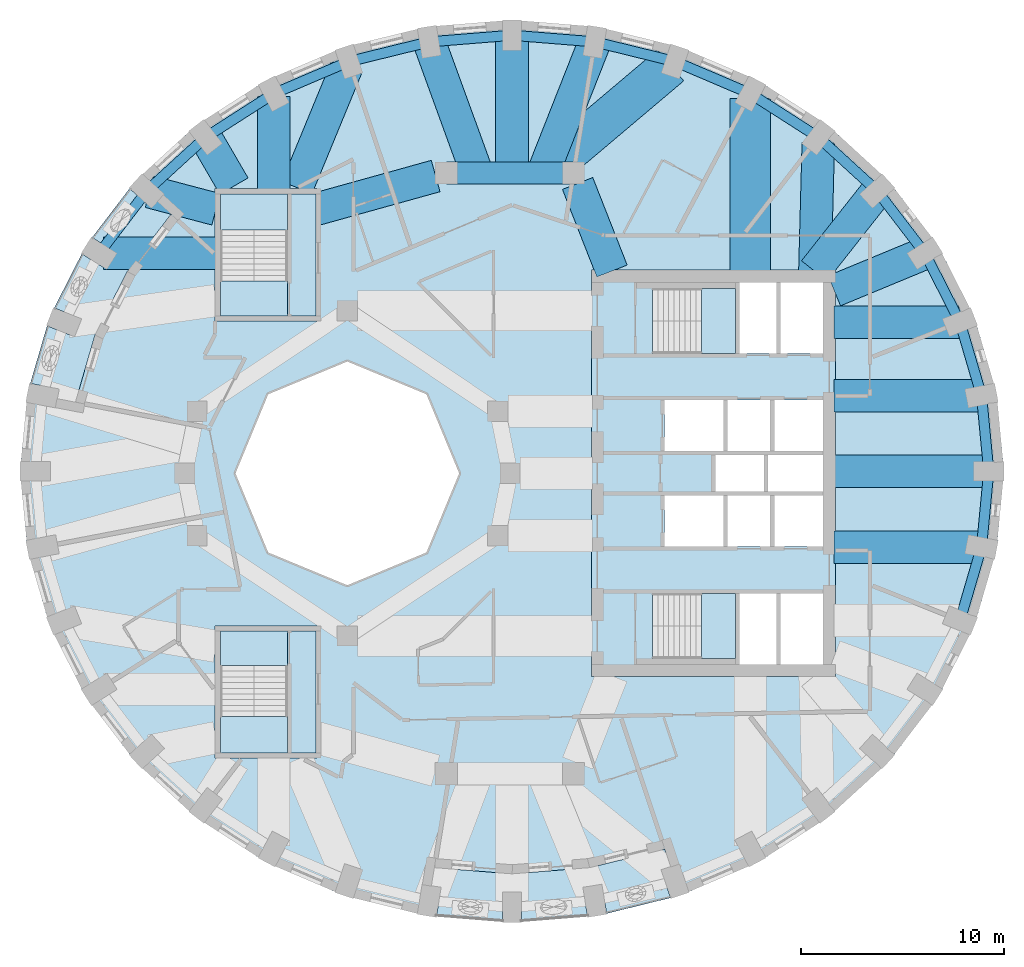
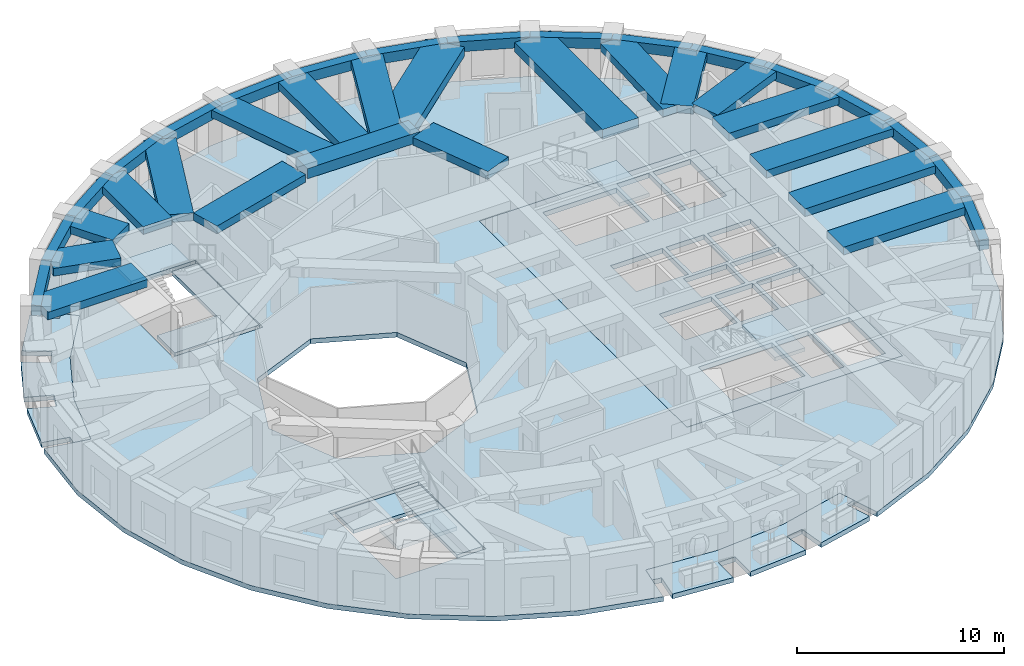
# One storey, part 2 of 11: 37 beams, 12 slabs, 4 elements without a shape of their own.
"""IFC4 building model written with IfcOpenShell, lengths in metres."""

from ifc_helpers import new_model, si_unit, direction, frame, origin, origin_2d, place, context, subcontext, project, spatial, polyline, rectangle, outline, extrude, material, layer, layer_set, material_profile, profile_set, type_object, element, aggregate, save


model = new_model("IFC4")

# Units and contexts
model_context = context("Model", 3, precision=1e-05, world=origin(), true_north=direction((0.0, 1.0)))
body_context = subcontext(model_context, "Body", "Model", "MODEL_VIEW")
ifc_project = project(units=[si_unit("LENGTHUNIT", "METRE"), si_unit("AREAUNIT", "SQUARE_METRE"), si_unit("VOLUMEUNIT", "CUBIC_METRE"), si_unit("PLANEANGLEUNIT", "RADIAN"), si_unit("MASSUNIT", "GRAM", prefix="KILO")], contexts=[model_context])

# Site, building, storey
site_placement = place(None, origin())
site = spatial("IfcSite", under=ifc_project, at=site_placement, CompositionType="ELEMENT")
building_placement = place(site_placement, origin())
building = spatial("IfcBuilding", under=site, at=building_placement, Name="Taillehof Tower", CompositionType="ELEMENT")
storey_placement = place(building_placement, frame((0.0, 0.0, 158.300048828125)))
storey = spatial("IfcBuildingStorey", under=building, at=storey_placement, Name="L44", CompositionType="ELEMENT", Elevation=158.300048828125)

# Beams
ifc_material_1 = material(Name="Concrete C50/60", Category="concrete")
ifc_material_profile_1 = material_profile(ifc_material_1, rectangle(XDim=1.10009765625, YDim=0.60009765625, at=origin_2d()), Name="RC 1100x600")
ifc_profile_set_1 = profile_set([ifc_material_profile_1], Name="Concrete C50/60")
beam_type_1 = type_object("IfcBeamType", Name="Mid-ring beam C50/60 1100x600", PredefinedType="BEAM", material=ifc_profile_set_1)
beam_1_placement = place(storey_placement, frame((3.125732421875, 14.772216796875, 2.719970703125), z_axis=(-1.0, 0.0, 0.0), x_axis=(0.0, -1.0, 0.0)))
element("IfcBeam", 1, at=beam_1_placement, inside=storey, type_object=beam_type_1, Name="Mid-ring beam MB01", PredefinedType="BEAM", context=body_context, shape_type="SweptSolid", body=[
    extrude(rectangle(XDim=1.10009765625, YDim=0.60009765625, at=origin_2d()), origin(), (0.0, 0.0, 1.0), 6.25146484375),
])
ifc_material_2 = material(Name="Concrete C50/60", Category="concrete")
ifc_material_profile_2 = material_profile(ifc_material_2, rectangle(XDim=1.60009765625, YDim=0.449951171875, at=origin_2d()), Name="RC 1600x450")
ifc_profile_set_2 = profile_set([ifc_material_profile_2], Name="Concrete C50/60")
beam_type_2 = type_object("IfcBeamType", Name="Radial band beam C50/60 1600x450", PredefinedType="BEAM", material=ifc_profile_set_2)
beam_2_placement = place(storey_placement, frame((23.550048828125, 0.10009765625, 2.794921875), z_axis=(-1.0, 0.0, 0.0), x_axis=(0.0, -1.0, 0.0)))
element("IfcBeam", 2, at=beam_2_placement, inside=storey, type_object=beam_type_2, Name="Radial band beam RB01", PredefinedType="BEAM", context=body_context, shape_type="SweptSolid", body=[
    extrude(rectangle(XDim=1.60009765625, YDim=0.449951171875, at=origin_2d()), origin(), (0.0, 0.0, 1.0), 7.60009765625),
])
beam_3_placement = place(storey_placement, frame((23.19384765625, 3.82470703125, 2.794921875), z_axis=(-1.0, 0.0, 0.0), x_axis=(0.0, -1.0, 0.0)))
element("IfcBeam", 3, at=beam_3_placement, inside=storey, type_object=beam_type_2, Name="Radial band beam RB02", PredefinedType="BEAM", context=body_context, shape_type="SweptSolid", body=[
    extrude(rectangle(XDim=1.60009765625, YDim=0.449951171875, at=origin_2d()), origin(), (0.0, 0.0, 1.0), 7.243896484375),
])
beam_4_placement = place(storey_placement, frame((22.08642578125, 7.436279296875, 2.794921875), z_axis=(-1.0, 0.0, 0.0), x_axis=(0.0, -1.0, 0.0)))
element("IfcBeam", 4, at=beam_4_placement, inside=storey, type_object=beam_type_2, Name="Radial band beam RB03", PredefinedType="BEAM", context=body_context, shape_type="SweptSolid", body=[
    extrude(rectangle(XDim=1.60009765625, YDim=0.449951171875, at=origin_2d()), origin(), (0.0, 0.0, 1.0), 6.136474609375),
])
beam_5_placement = place(storey_placement, frame((20.408203125, 10.824951171875, 2.794921875), z_axis=(-0.92395697655, -0.382496412381, 0.0), x_axis=(0.382496412381, -0.92395697655, 0.0)))
element("IfcBeam", 5, at=beam_5_placement, inside=storey, type_object=beam_type_2, Name="Radial band beam RB04", PredefinedType="BEAM", context=body_context, shape_type="SweptSolid", body=[
    extrude(rectangle(XDim=1.60009765625, YDim=0.449951171875, at=origin_2d()), origin(), (0.0, 0.0, 1.0), 4.821044921875),
])
beam_6_placement = place(storey_placement, frame((18.063720703125, 13.8876953125, 2.794921875), z_axis=(-0.618961692467, -0.785421175713, 0.0), x_axis=(0.785421175713, -0.618961692467, 0.0)))
element("IfcBeam", 6, at=beam_6_placement, inside=storey, type_object=beam_type_2, Name="Radial band beam RB05", PredefinedType="BEAM", context=body_context, shape_type="SweptSolid", body=[
    extrude(rectangle(XDim=1.60009765625, YDim=0.449951171875, at=origin_2d()), origin(), (0.0, 0.0, 1.0), 4.999755859375),
])
beam_7_placement = place(storey_placement, frame((15.166259765625, 16.259765625, 2.794921875), z_axis=(-0.026533506529, -0.999647924537, 0.0), x_axis=(0.999647924537, -0.026533506529, 0.0)))
element("IfcBeam", 7, at=beam_7_placement, inside=storey, type_object=beam_type_2, Name="Radial band beam RB06", PredefinedType="BEAM", context=body_context, shape_type="SweptSolid", body=[
    extrude(rectangle(XDim=1.60009765625, YDim=0.449951171875, at=origin_2d()), origin(), (0.0, 0.0, 1.0), 6.31201171875),
])
beam_8_placement = place(storey_placement, frame((4.172119140625, 21.22412109375, 2.794921875), z_axis=(-0.36711444375, -0.930175781877, 0.0), x_axis=(0.930175781877, -0.36711444375, 0.0)))
element("IfcBeam", 8, at=beam_8_placement, inside=storey, type_object=beam_type_2, Name="Radial band beam RB09", PredefinedType="BEAM", context=body_context, shape_type="SweptSolid", body=[
    extrude(rectangle(XDim=1.60009765625, YDim=0.449951171875, at=origin_2d()), origin(), (0.0, 0.0, 1.0), 6.936279296875),
])
beam_9_placement = place(storey_placement, frame((0.10009765625, 21.550048828125, 2.794921875), z_axis=(0.0, -1.0, 0.0), x_axis=(1.0, 0.0, 0.0)))
element("IfcBeam", 9, at=beam_9_placement, inside=storey, type_object=beam_type_2, Name="Radial band beam RB10", PredefinedType="BEAM", context=body_context, shape_type="SweptSolid", body=[
    extrude(rectangle(XDim=1.60009765625, YDim=0.449951171875, at=origin_2d()), origin(), (0.0, 0.0, 1.0), 6.77783203125),
])
beam_10_placement = place(storey_placement, frame((-3.97216796875, 21.22412109375, 2.794921875), z_axis=(0.341780181607, -0.939779925015, 0.0), x_axis=(0.939779925015, 0.341780181607, 0.0)))
element("IfcBeam", 10, at=beam_10_placement, inside=storey, type_object=beam_type_2, Name="Radial band beam RB11", PredefinedType="BEAM", context=body_context, shape_type="SweptSolid", body=[
    extrude(rectangle(XDim=1.60009765625, YDim=0.449951171875, at=origin_2d()), origin(), (0.0, 0.0, 1.0), 6.865234375),
])
beam_11_placement = place(storey_placement, frame((-8.04443359375, 19.95556640625, 2.794921875), z_axis=(-0.381176869418, -0.924502133162, 0.0), x_axis=(0.924502133162, -0.381176869418, 0.0)))
element("IfcBeam", 11, at=beam_11_placement, inside=storey, type_object=beam_type_2, Name="Radial band beam RB12", PredefinedType="BEAM", context=body_context, shape_type="SweptSolid", body=[
    extrude(rectangle(XDim=1.60009765625, YDim=0.449951171875, at=origin_2d()), origin(), (0.0, 0.0, 1.0), 6.382568359375),
])
beam_12_placement = place(storey_placement, frame((-11.625, 18.536376953125, 2.794921875), z_axis=(0.0, -1.0, 0.0), x_axis=(1.0, 0.0, 0.0)))
element("IfcBeam", 12, at=beam_12_placement, inside=storey, type_object=beam_type_2, Name="Radial band beam RB13", PredefinedType="BEAM", context=body_context, shape_type="SweptSolid", body=[
    extrude(rectangle(XDim=1.60009765625, YDim=0.449951171875, at=origin_2d()), origin(), (0.0, 0.0, 1.0), 4.58642578125),
])
beam_13_placement = place(storey_placement, frame((-14.973388671875, 16.53173828125, 2.794921875), z_axis=(0.502991419937, -0.864291404255, 0.0), x_axis=(0.864291404255, 0.502991419937, 0.0)))
element("IfcBeam", 13, at=beam_13_placement, inside=storey, type_object=beam_type_2, Name="Radial band beam RB14", PredefinedType="BEAM", context=body_context, shape_type="SweptSolid", body=[
    extrude(rectangle(XDim=1.60009765625, YDim=0.449951171875, at=origin_2d()), origin(), (0.0, 0.0, 1.0), 2.779296875),
])
beam_14_placement = place(storey_placement, frame((-17.72998046875, 13.8525390625, 2.794921875), z_axis=(0.966882543987, -0.255221758736, 0.0), x_axis=(0.255221758736, 0.966882543987, 0.0)))
element("IfcBeam", 14, at=beam_14_placement, inside=storey, type_object=beam_type_2, Name="Radial band beam RB15", PredefinedType="BEAM", context=body_context, shape_type="SweptSolid", body=[
    extrude(rectangle(XDim=1.60009765625, YDim=0.449951171875, at=origin_2d()), origin(), (0.0, 0.0, 1.0), 3.381591796875),
])
beam_15_placement = place(storey_placement, frame((-19.9990234375, 10.824951171875, 2.794921875), z_axis=(1.0, 0.0, 0.0), x_axis=(0.0, 1.0, 0.0)))
element("IfcBeam", 15, at=beam_15_placement, inside=storey, type_object=beam_type_2, Name="Radial band beam RB16", PredefinedType="BEAM", context=body_context, shape_type="SweptSolid", body=[
    extrude(rectangle(XDim=1.60009765625, YDim=0.449951171875, at=origin_2d()), origin(), (0.0, 0.0, 1.0), 5.549072265625),
])
beam_16_placement = place(storey_placement, frame((23.19384765625, -3.624755859375, 2.794921875), z_axis=(-1.0, 0.0, 0.0), x_axis=(0.0, -1.0, 0.0)))
element("IfcBeam", 16, at=beam_16_placement, inside=storey, type_object=beam_type_2, Name="Radial band beam RB36", PredefinedType="BEAM", context=body_context, shape_type="SweptSolid", body=[
    extrude(rectangle(XDim=1.60009765625, YDim=0.449951171875, at=origin_2d()), origin(), (0.0, 0.0, 1.0), 7.243896484375),
])
beam_17_placement = place(storey_placement, frame((3.32666015625, 14.26025390625, 2.794921875), z_axis=(0.365588707223, -0.930776502255, 0.0), x_axis=(0.930776502255, 0.365588707223, 0.0)))
element("IfcBeam", 17, at=beam_17_placement, inside=storey, type_object=beam_type_2, Name="Inner band beam IB205", PredefinedType="BEAM", context=body_context, shape_type="SweptSolid", body=[
    extrude(rectangle(XDim=1.60009765625, YDim=0.449951171875, at=origin_2d()), origin(), (0.0, 0.0, 1.0), 4.627197265625),
])
beam_18_placement = place(storey_placement, frame((-3.655517578125, 14.624755859375, 2.794921875), z_axis=(-0.963459369536, -0.267854518821, 0.0), x_axis=(0.267854518821, -0.963459369536, 0.0)))
element("IfcBeam", 18, at=beam_18_placement, inside=storey, type_object=beam_type_2, Name="Inner band beam IB206", PredefinedType="BEAM", context=body_context, shape_type="SweptSolid", body=[
    extrude(rectangle(XDim=1.60009765625, YDim=0.449951171875, at=origin_2d()), origin(), (0.0, 0.0, 1.0), 6.096923828125),
])
ifc_material_3 = material(Name="Concrete C50/60", Category="concrete")
ifc_material_profile_3 = material_profile(ifc_material_3, rectangle(XDim=2.0, YDim=0.550048828125, at=origin_2d()), Name="RC 2000x550")
ifc_profile_set_3 = profile_set([ifc_material_profile_3], Name="Concrete C50/60")
beam_type_3 = type_object("IfcBeamType", Name="Radial band beam C50/60 2000x550", PredefinedType="BEAM", material=ifc_profile_set_3)
beam_19_placement = place(storey_placement, frame((11.824951171875, 18.430908203125, 2.744873046875), z_axis=(0.0, -1.0, 0.0), x_axis=(1.0, 0.0, 0.0)))
element("IfcBeam", 19, at=beam_19_placement, inside=storey, type_object=beam_type_3, Name="Radial band beam RB07", PredefinedType="BEAM", context=body_context, shape_type="SweptSolid", body=[
    extrude(rectangle(XDim=2.0, YDim=0.550048828125, at=origin_2d()), origin(), (0.0, 0.0, 1.0), 8.48095703125),
])
beam_20_placement = place(storey_placement, frame((7.900390625, 20.070556640625, 2.744873046875), z_axis=(-0.764038060196, -0.645171173079, 0.0), x_axis=(0.645171173079, -0.764038060196, 0.0)))
element("IfcBeam", 20, at=beam_20_placement, inside=storey, type_object=beam_type_3, Name="Radial band beam RB08", PredefinedType="BEAM", context=body_context, shape_type="SweptSolid", body=[
    extrude(rectangle(XDim=2.0, YDim=0.550048828125, at=origin_2d()), origin(), (0.0, 0.0, 1.0), 7.880859375),
])
ifc_material_4 = material(Name="Concrete C50/60", Category="concrete")
ifc_material_profile_4 = material_profile(ifc_material_4, rectangle(XDim=0.5, YDim=0.60009765625, at=origin_2d()), Name="RC 500x600")
ifc_profile_set_4 = profile_set([ifc_material_profile_4], Name="Concrete C50/60")
beam_type_4 = type_object("IfcBeamType", Name="Spandrel beam C50/60 500x600", PredefinedType="SPANDREL", material=ifc_profile_set_4)
beam_21_placement = place(storey_placement, frame((23.550048828125, 0.10009765625, 2.719970703125), z_axis=(-0.095200147056, 0.995458151808, 0.0), x_axis=(-0.995458151808, -0.095200147056, 0.0)))
element("IfcBeam", 21, at=beam_21_placement, inside=storey, type_object=beam_type_4, Name="Spandrel beam SB01", PredefinedType="SPANDREL", context=body_context, shape_type="SweptSolid", body=[
    extrude(rectangle(XDim=0.5, YDim=0.60009765625, at=origin_2d()), origin(), (0.0, 0.0, 1.0), 3.74169921875),
])
beam_22_placement = place(storey_placement, frame((23.19384765625, 3.82470703125, 2.719970703125), z_axis=(-0.281158162606, 0.959661444261, 0.0), x_axis=(-0.959661444261, -0.281158162606, 0.0)))
element("IfcBeam", 22, at=beam_22_placement, inside=storey, type_object=beam_type_4, Name="Spandrel beam SB02", PredefinedType="SPANDREL", context=body_context, shape_type="SweptSolid", body=[
    extrude(rectangle(XDim=0.5, YDim=0.60009765625, at=origin_2d()), origin(), (0.0, 0.0, 1.0), 3.763427734375),
])
beam_23_placement = place(storey_placement, frame((22.1357421875, 7.436279296875, 2.719970703125), z_axis=(-0.454183451696, 0.890908183937, 0.0), x_axis=(-0.890908183937, -0.454183451696, 0.0)))
element("IfcBeam", 23, at=beam_23_placement, inside=storey, type_object=beam_type_4, Name="Spandrel beam SB03", PredefinedType="SPANDREL", context=body_context, shape_type="SweptSolid", body=[
    extrude(rectangle(XDim=0.5, YDim=0.60009765625, at=origin_2d()), origin(), (0.0, 0.0, 1.0), 3.8037109375),
])
beam_24_placement = place(storey_placement, frame((20.408203125, 10.824951171875, 2.719970703125), z_axis=(-0.60784004271, 0.794059495553, 0.0), x_axis=(-0.794059495553, -0.60784004271, 0.0)))
element("IfcBeam", 24, at=beam_24_placement, inside=storey, type_object=beam_type_4, Name="Spandrel beam SB04", PredefinedType="SPANDREL", context=body_context, shape_type="SweptSolid", body=[
    extrude(rectangle(XDim=0.5, YDim=0.60009765625, at=origin_2d()), origin(), (0.0, 0.0, 1.0), 3.857177734375),
])
beam_25_placement = place(storey_placement, frame((18.063720703125, 13.8876953125, 2.719970703125), z_axis=(-0.737849657471, 0.674965097594, 0.0), x_axis=(-0.674965097594, -0.737849657471, 0.0)))
element("IfcBeam", 25, at=beam_25_placement, inside=storey, type_object=beam_type_4, Name="Spandrel beam SB05", PredefinedType="SPANDREL", context=body_context, shape_type="SweptSolid", body=[
    extrude(rectangle(XDim=0.5, YDim=0.60009765625, at=origin_2d()), origin(), (0.0, 0.0, 1.0), 3.917236328125),
])
beam_26_placement = place(storey_placement, frame((15.17333984375, 16.53173828125, 2.719970703125), z_axis=(-0.842092940799, 0.53933243835, 0.0), x_axis=(-0.53933243835, -0.842092940799, 0.0)))
element("IfcBeam", 26, at=beam_26_placement, inside=storey, type_object=beam_type_4, Name="Spandrel beam SB06", PredefinedType="SPANDREL", context=body_context, shape_type="SweptSolid", body=[
    extrude(rectangle(XDim=0.5, YDim=0.60009765625, at=origin_2d()), origin(), (0.0, 0.0, 1.0), 3.976318359375),
])
beam_27_placement = place(storey_placement, frame((11.824951171875, 18.67626953125, 2.719970703125), z_axis=(-0.919827173659, 0.392323808351, 0.0), x_axis=(-0.392323808351, -0.919827173659, 0.0)))
element("IfcBeam", 27, at=beam_27_placement, inside=storey, type_object=beam_type_4, Name="Spandrel beam SB07", PredefinedType="SPANDREL", context=body_context, shape_type="SweptSolid", body=[
    extrude(rectangle(XDim=0.5, YDim=0.60009765625, at=origin_2d()), origin(), (0.0, 0.0, 1.0), 4.027587890625),
])
beam_28_placement = place(storey_placement, frame((8.120361328125, 20.25634765625, 2.719970703125), z_axis=(-0.971248584585, 0.238067610023, 0.0), x_axis=(-0.238067610023, -0.971248584585, 0.0)))
element("IfcBeam", 28, at=beam_28_placement, inside=storey, type_object=beam_type_4, Name="Spandrel beam SB08", PredefinedType="SPANDREL", context=body_context, shape_type="SweptSolid", body=[
    extrude(rectangle(XDim=0.5, YDim=0.60009765625, at=origin_2d()), origin(), (0.0, 0.0, 1.0), 4.065185546875),
])
beam_29_placement = place(storey_placement, frame((4.172119140625, 21.22412109375, 2.719970703125), z_axis=(-0.996812047205, 0.079785603634, 0.0), x_axis=(-0.079785603634, -0.996812047205, 0.0)))
element("IfcBeam", 29, at=beam_29_placement, inside=storey, type_object=beam_type_4, Name="Spandrel beam SB09", PredefinedType="SPANDREL", context=body_context, shape_type="SweptSolid", body=[
    extrude(rectangle(XDim=0.5, YDim=0.60009765625, at=origin_2d()), origin(), (0.0, 0.0, 1.0), 4.0849609375),
])
beam_30_placement = place(storey_placement, frame((0.10009765625, 21.550048828125, 2.719970703125), z_axis=(-0.996812427616, -0.079780850771, 0.0), x_axis=(0.079780850771, -0.996812427616, 0.0)))
element("IfcBeam", 30, at=beam_30_placement, inside=storey, type_object=beam_type_4, Name="Spandrel beam SB10", PredefinedType="SPANDREL", context=body_context, shape_type="SweptSolid", body=[
    extrude(rectangle(XDim=0.5, YDim=0.60009765625, at=origin_2d()), origin(), (0.0, 0.0, 1.0), 4.085205078125),
])
beam_31_placement = place(storey_placement, frame((-3.97216796875, 21.22412109375, 2.719970703125), z_axis=(-0.971248584585, -0.238067610023, 0.0), x_axis=(0.238067610023, -0.971248584585, 0.0)))
element("IfcBeam", 31, at=beam_31_placement, inside=storey, type_object=beam_type_4, Name="Spandrel beam SB11", PredefinedType="SPANDREL", context=body_context, shape_type="SweptSolid", body=[
    extrude(rectangle(XDim=0.5, YDim=0.60009765625, at=origin_2d()), origin(), (0.0, 0.0, 1.0), 4.065185546875),
])
beam_32_placement = place(storey_placement, frame((-7.92041015625, 20.25634765625, 2.719970703125), z_axis=(-0.919827173659, -0.392323808351, 0.0), x_axis=(0.392323808351, -0.919827173659, 0.0)))
element("IfcBeam", 32, at=beam_32_placement, inside=storey, type_object=beam_type_4, Name="Spandrel beam SB12", PredefinedType="SPANDREL", context=body_context, shape_type="SweptSolid", body=[
    extrude(rectangle(XDim=0.5, YDim=0.60009765625, at=origin_2d()), origin(), (0.0, 0.0, 1.0), 4.027587890625),
])
beam_33_placement = place(storey_placement, frame((-11.625, 18.67626953125, 2.719970703125), z_axis=(-0.842092940799, -0.53933243835, 0.0), x_axis=(0.53933243835, -0.842092940799, 0.0)))
element("IfcBeam", 33, at=beam_33_placement, inside=storey, type_object=beam_type_4, Name="Spandrel beam SB13", PredefinedType="SPANDREL", context=body_context, shape_type="SweptSolid", body=[
    extrude(rectangle(XDim=0.5, YDim=0.60009765625, at=origin_2d()), origin(), (0.0, 0.0, 1.0), 3.976318359375),
])
beam_34_placement = place(storey_placement, frame((-14.973388671875, 16.53173828125, 2.719970703125), z_axis=(-0.737849657471, -0.674965097594, 0.0), x_axis=(0.674965097594, -0.737849657471, 0.0)))
element("IfcBeam", 34, at=beam_34_placement, inside=storey, type_object=beam_type_4, Name="Spandrel beam SB14", PredefinedType="SPANDREL", context=body_context, shape_type="SweptSolid", body=[
    extrude(rectangle(XDim=0.5, YDim=0.60009765625, at=origin_2d()), origin(), (0.0, 0.0, 1.0), 3.917236328125),
])
beam_35_placement = place(storey_placement, frame((-17.86376953125, 13.8876953125, 2.719970703125), z_axis=(-0.60784004271, -0.794059495553, 0.0), x_axis=(0.794059495553, -0.60784004271, 0.0)))
element("IfcBeam", 35, at=beam_35_placement, inside=storey, type_object=beam_type_4, Name="Spandrel beam SB15", PredefinedType="SPANDREL", context=body_context, shape_type="SweptSolid", body=[
    extrude(rectangle(XDim=0.5, YDim=0.60009765625, at=origin_2d()), origin(), (0.0, 0.0, 1.0), 3.857177734375),
])
beam_36_placement = place(storey_placement, frame((22.1357421875, -7.236328125, 2.719970703125), z_axis=(0.281158162606, 0.959661444261, 0.0), x_axis=(-0.959661444261, 0.281158162606, 0.0)))
element("IfcBeam", 36, at=beam_36_placement, inside=storey, type_object=beam_type_4, Name="Spandrel beam SB35", PredefinedType="SPANDREL", context=body_context, shape_type="SweptSolid", body=[
    extrude(rectangle(XDim=0.5, YDim=0.60009765625, at=origin_2d()), origin(), (0.0, 0.0, 1.0), 3.763427734375),
])
beam_37_placement = place(storey_placement, frame((23.19384765625, -3.624755859375, 2.719970703125), z_axis=(0.095193963834, 0.995458743118, 0.0), x_axis=(-0.995458743118, 0.095193963834, 0.0)))
element("IfcBeam", 37, at=beam_37_placement, inside=storey, type_object=beam_type_4, Name="Spandrel beam SB36", PredefinedType="SPANDREL", context=body_context, shape_type="SweptSolid", body=[
    extrude(rectangle(XDim=0.5, YDim=0.60009765625, at=origin_2d()), origin(), (0.0, 0.0, 1.0), 3.741943359375),
])

# Slabs
ifc_material_5 = material(Name="Concrete C40/50", Category="concrete")
ifc_layer_1 = layer(ifc_material_5, 0.280029296875)
ifc_layer_set_1 = layer_set([ifc_layer_1], Name="Balcony slab 280")
slab_type_1 = type_object("IfcSlabType", Name="Balcony slab 280", PredefinedType="USERDEFINED", material=ifc_layer_set_1)
slab_1_placement = place(storey_placement, frame((0.0, 0.0, -0.280029296875)))
element("IfcSlab", 38, at=slab_1_placement, inside=storey, type_object=slab_type_1, Name="Balcony L44 pocket 8", ObjectType="BALCONY", PredefinedType="USERDEFINED", context=body_context, shape_type="SweptSolid", body=[
    extrude(outline(polyline([(7.61669921875, -18.484619140625), (7.90185546875, -19.338623046875), (7.432373046875, -19.495361328125), (7.89453125, -20.879638671875), (4.754638671875, -21.651611328125), (4.521240234375, -20.2080078125), (3.58349609375, -20.359619140625), (3.816650390625, -21.8017578125), (0.574951171875, -22.061767578125), (0.574951171875, -20.60009765625), (-0.375, -20.60009765625), (-0.375, -22.061767578125), (-3.61669921875, -21.8017578125), (-3.38330078125, -20.359619140625), (-3.86279296875, -20.281982421875), (-3.718994140625, -19.3935546875), (0.10009765625, -19.699951171875), (3.9189453125, -19.3935546875), (7.61669921875, -18.484619140625)])), origin(), (0.0, 0.0, 1.0), 0.280029296875),
])
slab_2_placement = place(storey_placement, frame((0.0, 0.0, -0.280029296875)))
element("IfcSlab", 39, at=slab_2_placement, inside=storey, type_object=slab_type_1, Name="Balcony L44 pocket 4", ObjectType="BALCONY", PredefinedType="USERDEFINED", context=body_context, shape_type="SweptSolid", body=[
    extrude(outline(polyline([(-21.37548828125, 3.501953125), (-22.25927734375, 3.671875), (-22.16748046875, 4.149658203125), (-23.59521484375, 4.424072265625), (-22.768310546875, 7.255615234375), (-21.413818359375, 6.71826171875), (-21.0634765625, 7.601318359375), (-22.41455078125, 8.137451171875), (-21.06103515625, 10.80029296875), (-19.82666015625, 10.0234375), (-19.320556640625, 10.82763671875), (-20.551025390625, 11.60205078125), (-18.7080078125, 14.016357421875), (-17.630859375, 13.031005859375), (-17.33203125, 13.35791015625), (-16.66748046875, 12.75), (-18.82666015625, 9.921630859375), (-20.40966796875, 6.807861328125), (-21.37548828125, 3.501953125)])), origin(), (0.0, 0.0, 1.0), 0.280029296875),
])
ifc_material_6 = material(Name="Concrete C40/50", Category="concrete")
ifc_layer_2 = layer(ifc_material_6, 0.280029296875)
ifc_layer_set_2 = layer_set([ifc_layer_2], Name="Core floor slab C40/50 280")
slab_type_2 = type_object("IfcSlabType", Name="Core floor slab C40/50 280", PredefinedType="FLOOR", material=ifc_layer_set_2)
slab_3_placement = place(storey_placement, frame((0.0, 0.0, -0.280029296875)))
element("IfcSlab", 40, at=slab_3_placement, inside=storey, type_object=slab_type_2, Name="Core floor L44", PredefinedType="FLOOR", context=body_context, shape_type="SweptSolid", body=[
    extrude(outline(polyline([(4.0, -10.0), (4.0, 10.0), (16.0, 10.0), (16.0, -10.0), (4.0, -10.0)]), holes=[polyline([(11.10009765625, -9.10009765625), (11.10009765625, -5.89990234375), (7.00048828125, -5.89990234375), (7.00048828125, -9.10009765625), (11.10009765625, -9.10009765625)]), polyline([(10.5, -3.60009765625), (10.5, -1.10009765625), (7.60009765625, -1.10009765625), (7.60009765625, -3.60009765625), (10.5, -3.60009765625)]), polyline([(12.800048828125, -3.60009765625), (12.800048828125, -1.10009765625), (10.699951171875, -1.10009765625), (10.699951171875, -3.60009765625), (12.800048828125, -3.60009765625)]), polyline([(12.5, -0.89990234375), (12.5, 0.89990234375), (10.10009765625, 0.89990234375), (10.10009765625, -0.89990234375), (12.5, -0.89990234375)]), polyline([(10.5, 1.10009765625), (10.5, 3.60009765625), (7.60009765625, 3.60009765625), (7.60009765625, 1.10009765625), (10.5, 1.10009765625)]), polyline([(12.800048828125, 1.10009765625), (12.800048828125, 3.60009765625), (10.699951171875, 3.60009765625), (10.699951171875, 1.10009765625), (12.800048828125, 1.10009765625)]), polyline([(11.10009765625, 5.89990234375), (11.10009765625, 9.10009765625), (7.00048828125, 9.10009765625), (7.00048828125, 5.89990234375), (11.10009765625, 5.89990234375)]), polyline([(13.10009765625, -5.89990234375), (11.300048828125, -5.89990234375), (11.300048828125, -9.39990234375), (13.10009765625, -9.39990234375), (13.10009765625, -5.89990234375)]), polyline([(15.39990234375, -9.39990234375), (15.39990234375, -5.89990234375), (13.300048828125, -5.89990234375), (13.300048828125, -9.39990234375), (15.39990234375, -9.39990234375)]), polyline([(15.39990234375, -3.60009765625), (15.39990234375, -1.10009765625), (13.0, -1.10009765625), (13.0, -3.60009765625), (15.39990234375, -3.60009765625)]), polyline([(15.39990234375, -0.89990234375), (15.39990234375, 0.89990234375), (12.699951171875, 0.89990234375), (12.699951171875, -0.89990234375), (15.39990234375, -0.89990234375)]), polyline([(15.39990234375, 1.10009765625), (15.39990234375, 3.60009765625), (13.0, 3.60009765625), (13.0, 1.10009765625), (15.39990234375, 1.10009765625)]), polyline([(13.10009765625, 5.89990234375), (13.10009765625, 9.39990234375), (11.300048828125, 9.39990234375), (11.300048828125, 5.89990234375), (13.10009765625, 5.89990234375)]), polyline([(15.39990234375, 5.89990234375), (15.39990234375, 9.39990234375), (13.300048828125, 9.39990234375), (13.300048828125, 5.89990234375), (15.39990234375, 5.89990234375)])]), origin(), (0.0, 0.0, 1.0), 0.280029296875),
])
ifc_material_7 = material(Name="Concrete C40/50", Category="concrete")
ifc_layer_3 = layer(ifc_material_7, 0.280029296875)
ifc_layer_set_3 = layer_set([ifc_layer_3], Name="Floor slab 280")
slab_type_3 = type_object("IfcSlabType", Name="Floor slab 280", PredefinedType="FLOOR", material=ifc_layer_set_3)
slab_4_placement = place(storey_placement, frame((0.0, 0.0, -0.280029296875)))
element("IfcSlab", 41, at=slab_4_placement, inside=storey, type_object=slab_type_3, Name="Floor slab L44", PredefinedType="FLOOR", context=body_context, shape_type="SweptSolid", body=[
    extrude(outline(polyline([(24.300048828125, 0.10009765625), (23.932373046875, 3.955078125), (22.840576171875, 7.69287109375), (21.057861328125, 11.199951171875), (18.63818359375, 14.369873046875), (15.655517578125, 17.106201171875), (12.199951171875, 19.32568359375), (8.376953125, 20.961181640625), (4.30224609375, 21.962646484375), (0.10009765625, 22.300048828125), (-4.102294921875, 21.962646484375), (-8.177001953125, 20.961181640625), (-12.0, 19.32568359375), (-15.45556640625, 17.106201171875), (-18.438232421875, 14.369873046875), (-16.66748046875, 12.75), (-18.82666015625, 9.921630859375), (-20.40966796875, 6.8076171875), (-21.37548828125, 3.501953125), (-23.732421875, 3.955078125), (-24.10009765625, 0.10009765625), (-23.732421875, -3.7548828125), (-22.640625, -7.492919921875), (-20.85791015625, -11.0), (-18.438232421875, -14.169921875), (-15.45556640625, -16.90625), (-12.0, -19.125732421875), (-8.177001953125, -20.76123046875), (-4.102294921875, -21.7626953125), (-3.718994140625, -19.3935546875), (0.10009765625, -19.699951171875), (3.919189453125, -19.3935546875), (7.61669921875, -18.484619140625), (8.376953125, -20.76123046875), (12.199951171875, -19.125732421875), (15.655517578125, -16.90625), (18.63818359375, -14.169921875), (21.057861328125, -11.0), (22.840576171875, -7.492919921875), (23.932373046875, -3.7548828125), (24.300048828125, 0.10009765625)]), holes=[polyline([(-14.5, -7.5), (-9.5, -7.5), (-9.5, -14.0), (-14.5, -14.0), (-14.5, -7.5)]), polyline([(-8.0, -5.5), (-11.88916015625, -3.88916015625), (-13.5, 0.0), (-11.88916015625, 3.88916015625), (-8.0, 5.5), (-4.11083984375, 3.88916015625), (-2.5, 0.0), (-4.11083984375, -3.88916015625), (-8.0, -5.5)]), polyline([(16.0, 10.0), (16.0, -10.0), (4.0, -10.0), (4.0, 10.0), (16.0, 10.0)]), polyline([(-14.5, 14.0), (-9.5, 14.0), (-9.5, 7.5), (-14.5, 7.5), (-14.5, 14.0)])]), origin(), (0.0, 0.0, 1.0), 0.280029296875),
])

# Stair, slab
ifc_material_8 = material(Name="Concrete C40/50", Category="concrete")
stair_type = type_object("IfcStairType", Name="Exit stair half-turn", PredefinedType="HALF_TURN_STAIR", material=ifc_material_8)
stair_1_placement = place(storey_placement, origin())
stair_1 = element("IfcStair", 42, at=stair_1_placement, inside=storey, type_object=stair_type, Name="Exit stair S1", PredefinedType="HALF_TURN_STAIR")
ifc_material_9 = material(Name="Concrete C40/50", Category="concrete")
ifc_layer_4 = layer(ifc_material_9, 0.2099609375)
ifc_layer_set_4 = layer_set([ifc_layer_4], Name="Stair landing C40/50 210")
slab_type_4 = type_object("IfcSlabType", Name="Stair landing C40/50 210", PredefinedType="LANDING", material=ifc_layer_set_4)
slab_5_placement = place(storey_placement, frame((0.0, 0.0, 1.43994140625)))
slab_5 = element("IfcSlab", 43, at=slab_5_placement, type_object=slab_type_4, Name="S1 landing 1", PredefinedType="LANDING", context=body_context, shape_type="SweptSolid", body=[
    extrude(outline(polyline([(9.429931640625, 5.89990234375), (11.10009765625, 5.89990234375), (11.10009765625, 9.10009765625), (9.429931640625, 9.10009765625), (9.429931640625, 5.89990234375)])), origin(), (0.0, 0.0, 1.0), 0.2099609375),
])
aggregate(stair_1, [slab_5])

stair_2_placement = place(storey_placement, origin())
stair_2 = element("IfcStair", 44, at=stair_2_placement, inside=storey, type_object=stair_type, Name="Exit stair S2", PredefinedType="HALF_TURN_STAIR")
slab_6_placement = place(storey_placement, frame((0.0, 0.0, 1.43994140625)))
slab_6 = element("IfcSlab", 45, at=slab_6_placement, type_object=slab_type_4, Name="S2 landing 1", PredefinedType="LANDING", context=body_context, shape_type="SweptSolid", body=[
    extrude(outline(polyline([(9.429931640625, -5.89990234375), (11.10009765625, -5.89990234375), (11.10009765625, -9.10009765625), (9.429931640625, -9.10009765625), (9.429931640625, -5.89990234375)])), origin(), (0.0, 0.0, 1.0), 0.2099609375),
])
aggregate(stair_2, [slab_6])

stair_3_placement = place(storey_placement, origin())
stair_3 = element("IfcStair", 46, at=stair_3_placement, inside=storey, type_object=stair_type, Name="Exit stair S3", PredefinedType="HALF_TURN_STAIR")
slab_7_placement = place(storey_placement, frame((0.0, 0.0, 1.43994140625)))
slab_7 = element("IfcSlab", 47, at=slab_7_placement, type_object=slab_type_4, Name="S3 landing 1", PredefinedType="LANDING", context=body_context, shape_type="SweptSolid", body=[
    extrude(outline(polyline([(-14.25, 11.969970703125), (-14.25, 13.75), (-10.949951171875, 13.75), (-10.949951171875, 11.969970703125), (-14.25, 11.969970703125)])), origin(), (0.0, 0.0, 1.0), 0.2099609375),
])
aggregate(stair_3, [slab_7])

stair_4_placement = place(storey_placement, origin())
stair_4 = element("IfcStair", 48, at=stair_4_placement, inside=storey, type_object=stair_type, Name="Exit stair S4", PredefinedType="HALF_TURN_STAIR")
slab_8_placement = place(storey_placement, frame((0.0, 0.0, 1.43994140625)))
slab_8 = element("IfcSlab", 49, at=slab_8_placement, type_object=slab_type_4, Name="S4 landing 1", PredefinedType="LANDING", context=body_context, shape_type="SweptSolid", body=[
    extrude(outline(polyline([(-14.25, -11.969970703125), (-14.25, -13.75), (-10.949951171875, -13.75), (-10.949951171875, -11.969970703125), (-14.25, -11.969970703125)])), origin(), (0.0, 0.0, 1.0), 0.2099609375),
])
aggregate(stair_4, [slab_8])

# Slabs
slab_9_placement = place(storey_placement, frame((0.0, 0.0, -0.2099609375)))
element("IfcSlab", 50, at=slab_9_placement, inside=storey, type_object=slab_type_4, Name="Stair S3 floor landing", PredefinedType="LANDING", context=body_context, shape_type="SweptSolid", body=[
    extrude(outline(polyline([(-14.25, 7.75), (-14.25, 9.449951171875), (-10.949951171875, 9.449951171875), (-10.949951171875, 7.75), (-14.25, 7.75)])), origin(), (0.0, 0.0, 1.0), 0.2099609375),
])
slab_10_placement = place(storey_placement, frame((0.0, 0.0, -0.2099609375)))
element("IfcSlab", 51, at=slab_10_placement, inside=storey, type_object=slab_type_4, Name="Stair lobby S3 floor", PredefinedType="LANDING", context=body_context, shape_type="SweptSolid", body=[
    extrude(outline(polyline([(-10.949951171875, 7.75), (-9.550048828125, 7.75), (-9.550048828125, 13.75), (-10.949951171875, 13.75), (-10.949951171875, 7.75)])), origin(), (0.0, 0.0, 1.0), 0.2099609375),
])
slab_11_placement = place(storey_placement, frame((0.0, 0.0, -0.2099609375)))
element("IfcSlab", 52, at=slab_11_placement, inside=storey, type_object=slab_type_4, Name="Stair S4 floor landing", PredefinedType="LANDING", context=body_context, shape_type="SweptSolid", body=[
    extrude(outline(polyline([(-14.25, -7.75), (-14.25, -9.449951171875), (-10.949951171875, -9.449951171875), (-10.949951171875, -7.75), (-14.25, -7.75)])), origin(), (0.0, 0.0, 1.0), 0.2099609375),
])
slab_12_placement = place(storey_placement, frame((0.0, 0.0, -0.2099609375)))
element("IfcSlab", 53, at=slab_12_placement, inside=storey, type_object=slab_type_4, Name="Stair lobby S4 floor", PredefinedType="LANDING", context=body_context, shape_type="SweptSolid", body=[
    extrude(outline(polyline([(-10.949951171875, -13.75), (-9.550048828125, -13.75), (-9.550048828125, -7.75), (-10.949951171875, -7.75), (-10.949951171875, -13.75)])), origin(), (0.0, 0.0, 1.0), 0.2099609375),
])

save(model, "model.ifc")
